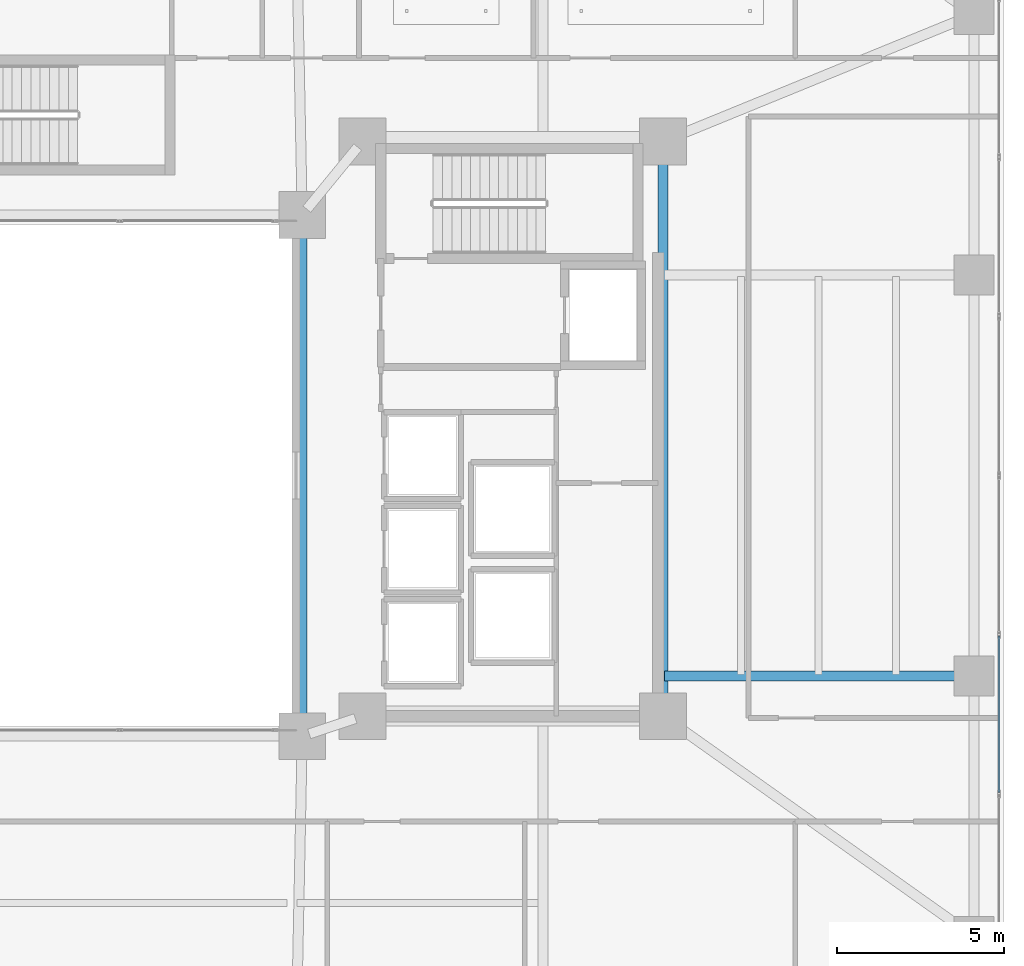
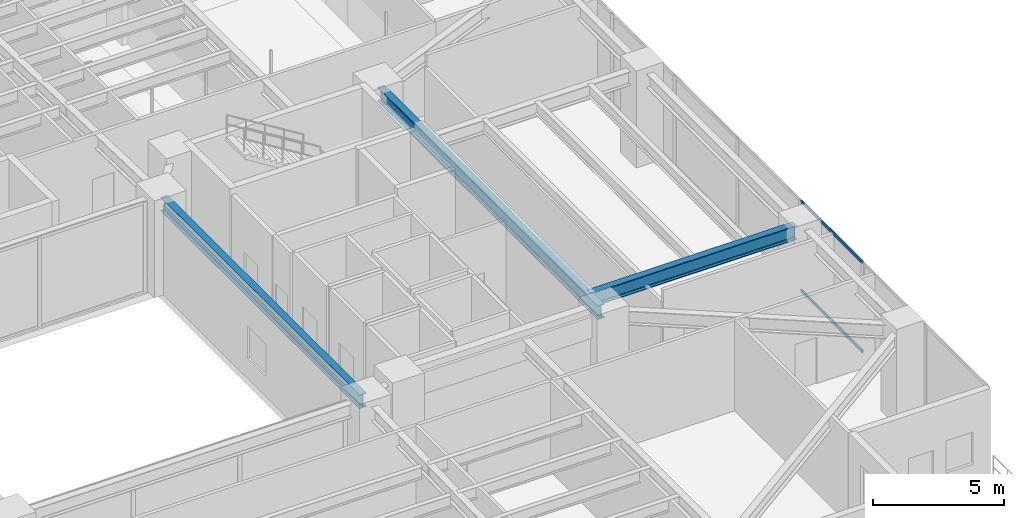
# One storey, part 15 of 39: 3 beams, 2 members, 1 element without a shape of its own.
"""IFC4 building model written with IfcOpenShell, lengths in metres."""

from ifc_helpers import new_model, si_unit, direction, frame, origin, origin_2d, place, context, subcontext, project, spatial, hollow_rectangle, i_section, extrude, material, layer, layer_set, material_profile, profile_set, type_object, element, aggregate, save


model = new_model("IFC4")

# Units and contexts
model_context = context("Model", 3, precision=1e-05, world=origin(), true_north=direction((0.0, 1.0)))
body_context = subcontext(model_context, "Body", "Model", "MODEL_VIEW")
ifc_project = project(units=[si_unit("LENGTHUNIT", "METRE"), si_unit("AREAUNIT", "SQUARE_METRE"), si_unit("VOLUMEUNIT", "CUBIC_METRE"), si_unit("PLANEANGLEUNIT", "RADIAN"), si_unit("MASSUNIT", "GRAM", prefix="KILO")], contexts=[model_context])

# Site, building, storey
site_placement = place(None, origin())
site = spatial("IfcSite", under=ifc_project, at=site_placement, CompositionType="ELEMENT")
building_placement = place(site_placement, origin())
building = spatial("IfcBuilding", under=site, at=building_placement, Name="Tarnavaz Court Tower", CompositionType="ELEMENT")
storey_placement = place(building_placement, frame((0.0, 0.0, 68.699951171875)))
storey = spatial("IfcBuildingStorey", under=building, at=storey_placement, Name="L18", CompositionType="ELEMENT", Elevation=68.699951171875)

# Beams
ifc_material_1 = material(Name="Steel S355", Category="steel")
ifc_material_profile_1 = material_profile(ifc_material_1, i_section(OverallWidth=0.300048828125, OverallDepth=0.64990234375, WebThickness=0.01611328125, FlangeThickness=0.031005859375, FilletRadius=0.027099609375, at=origin_2d()), Name="HEB 650")
ifc_profile_set_1 = profile_set([ifc_material_profile_1], Name="Steel S355")
beam_type_1 = type_object("IfcBeamType", Name="BM-G-HEB650", PredefinedType="USERDEFINED", material=ifc_profile_set_1)
beam_1_placement = place(storey_placement, frame((18.60009765625, -6.97998046875, 3.875), z_axis=(0.0, 1.0, 0.0), x_axis=(-1.0, 0.0, 0.0)))
element("IfcBeam", 1, at=beam_1_placement, inside=storey, type_object=beam_type_1, Name="L18 Beam IN-CE-SO-CE-NO", ObjectType="GIRDER", PredefinedType="USERDEFINED", context=body_context, shape_type="SweptSolid", body=[
    extrude(i_section(OverallWidth=0.300048828125, OverallDepth=0.64990234375, WebThickness=0.01611328125, FlangeThickness=0.031005859375, FilletRadius=0.027099609375, at=origin_2d()), origin(), (0.0, 0.0, 1.0), 16.760009765625),
])
beam_2_placement = place(storey_placement, frame((18.639892578125, -6.0, 3.875), z_axis=(1.0, 0.0, 0.0), x_axis=(0.0, 1.0, 0.0)))
element("IfcBeam", 2, at=beam_2_placement, inside=storey, type_object=beam_type_1, Name="L18 Beam RG-09", ObjectType="GIRDER", PredefinedType="USERDEFINED", context=body_context, shape_type="SweptSolid", body=[
    extrude(i_section(OverallWidth=0.300048828125, OverallDepth=0.64990234375, WebThickness=0.01611328125, FlangeThickness=0.031005859375, FilletRadius=0.027099609375, at=origin_2d()), origin(), (0.0, 0.0, 1.0), 9.0400390625),
])
ifc_material_profile_2 = material_profile(ifc_material_1, i_section(OverallWidth=0.300048828125, OverallDepth=0.639892578125, WebThickness=0.013427734375, FlangeThickness=0.02587890625, FilletRadius=0.027099609375, at=origin_2d()), Name="HEA 650")
ifc_profile_set_2 = profile_set([ifc_material_profile_2], Name="Steel S355")
beam_type_2 = type_object("IfcBeamType", Name="BM-SP-HEA650", PredefinedType="SPANDREL", material=ifc_profile_set_2)
beam_3_placement = place(storey_placement, frame((7.800048828125, -7.580078125, 3.880126953125), z_axis=(0.0, 1.0, 0.0), x_axis=(-1.0, 0.0, 0.0)))
element("IfcBeam", 3, at=beam_3_placement, inside=storey, type_object=beam_type_2, Name="L18 Beam IN-IW-SE-IW-NE", PredefinedType="SPANDREL", context=body_context, shape_type="SweptSolid", body=[
    extrude(i_section(OverallWidth=0.300048828125, OverallDepth=0.639892578125, WebThickness=0.013427734375, FlangeThickness=0.02587890625, FilletRadius=0.027099609375, at=origin_2d()), origin(), (0.0, 0.0, 1.0), 15.16015625),
])

# Curtain wall, members
ifc_material_2 = material(Name="Anodised Aluminium 6063-T6 and Solar Low-E Glazing", Category="aluminium")
ifc_layer = layer(ifc_material_2, 0.199951171875)
ifc_layer_set = layer_set([ifc_layer], Name="Anodised Aluminium 6063-T6 and Solar Low-E Glazing")
curtain_wall_type = type_object("IfcCurtainWallType", Name="CW-SYS-05", PredefinedType="NOTDEFINED", material=ifc_layer_set)
curtain_wall_placement = place(storey_placement, origin())
curtain_wall = element("IfcCurtainWall", 4, at=curtain_wall_placement, inside=storey, type_object=curtain_wall_type, Name="L18 Sky-Portal Curtain Wall 12", PredefinedType="NOTDEFINED")
ifc_material_3 = material(Name="Anodised Aluminium 6063-T6", Category="aluminium")
ifc_material_profile_3 = material_profile(ifc_material_3, hollow_rectangle(XDim=0.06494140625, YDim=0.139892578125, WallThickness=0.00390625, InnerFilletRadius=0.00390625, OuterFilletRadius=0.008056640625, at=origin_2d()), Name="ALU RHS 140X65X4")
ifc_profile_set_3 = profile_set([ifc_material_profile_3], Name="Anodised Aluminium 6063-T6")
member_type = type_object("IfcMemberType", Name="CW-TRN-140", PredefinedType="USERDEFINED", material=ifc_profile_set_3)
member_1_placement = place(storey_placement, frame((28.64990234375, -4.804931640625, 0.032470703125), z_axis=(0.0, -1.0, 0.0), x_axis=(1.0, 0.0, 0.0)))
member_1 = element("IfcMember", 5, at=member_1_placement, type_object=member_type, Name="CW transom 6.1", ObjectType="TRANSOM", PredefinedType="USERDEFINED", context=body_context, shape_type="SweptSolid", body=[
    extrude(hollow_rectangle(XDim=0.06494140625, YDim=0.139892578125, WallThickness=0.00390625, InnerFilletRadius=0.00390625, OuterFilletRadius=0.008056640625, at=origin_2d()), origin(), (0.0, 0.0, 1.0), 4.677490234375),
])
member_2_placement = place(storey_placement, frame((28.64990234375, -4.804931640625, 4.16748046875), z_axis=(0.0, -1.0, 0.0), x_axis=(1.0, 0.0, 0.0)))
member_2 = element("IfcMember", 6, at=member_2_placement, type_object=member_type, Name="CW transom 6.2", ObjectType="TRANSOM", PredefinedType="USERDEFINED", context=body_context, shape_type="SweptSolid", body=[
    extrude(hollow_rectangle(XDim=0.06494140625, YDim=0.139892578125, WallThickness=0.00390625, InnerFilletRadius=0.00390625, OuterFilletRadius=0.008056640625, at=origin_2d()), origin(), (0.0, 0.0, 1.0), 4.677490234375),
])
aggregate(curtain_wall, [member_1, member_2])

save(model, "model.ifc")
